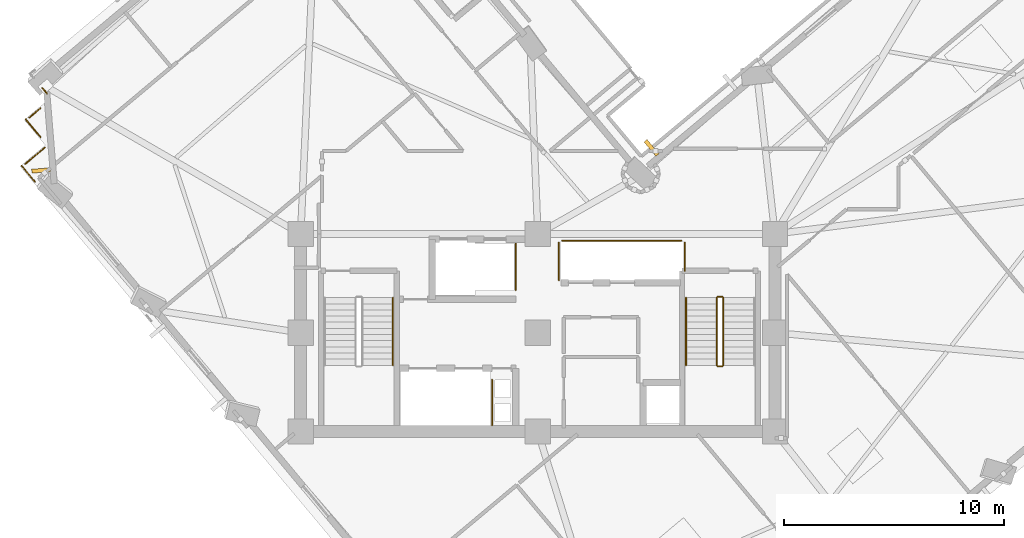
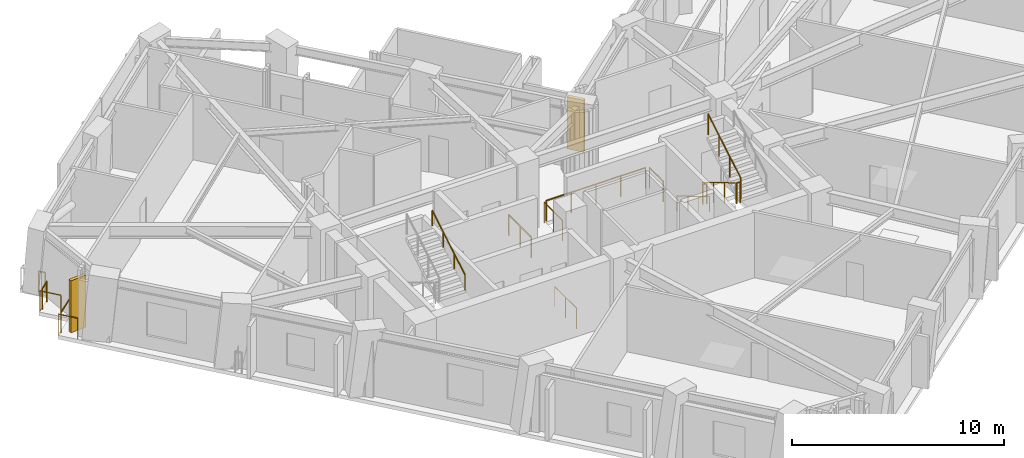
# One storey, part 11 of 14: 16 railings, 2 shading devices.
"""IFC4 building model written with IfcOpenShell, lengths in metres."""

import ifcopenshell
import ifcopenshell.guid

model = None  # the IFC model being written
_history = None  # IfcOwnerHistory: only IFC2X3 demands one
_inside = {}  # id of a spatial element -> (the spatial element, [elements in it])
_under = {}  # id of a project, library or spatial element -> (it, [spatial elements below it])
_declared = {}  # id of a project -> (the project, [libraries it declares])
_typed = {}  # id of a type object -> (the type object, [elements of that type])
_made_of = {}  # id of a material, layer set ... -> (it, [elements and type objects made of it])


def new_model(schema):
    """Start an empty IFC model of exactly this schema.

    Asked for "IFC4X3", IfcOpenShell would pick the latest addendum, in which some entities
    have other attributes; the version numbers below select the first issue.
    IFC2X3 requires an IfcOwnerHistory on every rooted entity: one is made here for all.
    """
    global model, _history
    if schema == "IFC4X3":
        model = ifcopenshell.file(schema_version=(4, 3, 0, 0))
    else:
        model = ifcopenshell.file(schema=schema)
    _inside.clear()
    _under.clear()
    _declared.clear()
    _typed.clear()
    _made_of.clear()
    _history = None
    if model.schema == "IFC2X3":
        org = make("IfcOrganization", Name="unknown")
        user = make(
            "IfcPersonAndOrganization",
            ThePerson=make("IfcPerson", FamilyName="unknown"),
            TheOrganization=org,
        )
        app = make(
            "IfcApplication",
            ApplicationDeveloper=org,
            Version="unknown",
            ApplicationFullName="unknown",
            ApplicationIdentifier="unknown",
        )
        _history = make(
            "IfcOwnerHistory",
            OwningUser=user,
            OwningApplication=app,
            ChangeAction="ADDED",
            CreationDate=0,
        )
    return model


def make(cls, **values):
    """One entity of the class cls with the attributes given. An attribute that is None is left unset."""
    return model.create_entity(
        cls, **{name: value for name, value in values.items() if value is not None}
    )


def rooted(cls, **values):
    """An entity with a GlobalId (a new one), such as an element, a storey or a relation."""
    return make(cls, GlobalId=ifcopenshell.guid.new(), OwnerHistory=_history, **values)


def si_unit(unit_type, name, prefix=None):
    """IfcSIUnit, for example si_unit("LENGTHUNIT", "METRE", prefix="MILLI")."""
    return make("IfcSIUnit", UnitType=unit_type, Prefix=prefix, Name=name)


def assignment(units):
    """IfcUnitAssignment: the units of a project."""
    return None if units is None else make("IfcUnitAssignment", Units=units)


def point(xyz):
    """IfcCartesianPoint."""
    return None if xyz is None else make("IfcCartesianPoint", Coordinates=xyz)


def direction(xyz):
    """IfcDirection."""
    return None if xyz is None else make("IfcDirection", DirectionRatios=xyz)


def frame(location, z_axis=None, x_axis=None):
    """IfcAxis2Placement3D, a coordinate frame: its origin and axes. An axis left out is left unset."""
    return make(
        "IfcAxis2Placement3D",
        Location=point(location),
        Axis=direction(z_axis),
        RefDirection=direction(x_axis),
    )


def frame_2d(location, x_axis=None):
    """IfcAxis2Placement2D, a coordinate frame in the plane: its origin and x axis."""
    return make(
        "IfcAxis2Placement2D", Location=point(location), RefDirection=direction(x_axis)
    )


def origin():
    """The frame at (0, 0, 0) with its axes left unset."""
    return frame((0.0, 0.0, 0.0))


def origin_2d():
    """The frame at (0, 0) in the plane with its x axis left unset."""
    return frame_2d((0.0, 0.0))


def place(relative_to, where):
    """IfcLocalPlacement: puts the frame where relative to a parent placement (None: the world)."""
    return make(
        "IfcLocalPlacement", PlacementRelTo=relative_to, RelativePlacement=where
    )


def context(
    kind, dimensions, precision=None, world=None, true_north=None, identifier=None
):
    """IfcGeometricRepresentationContext, for example the 3D "Model" context."""
    return make(
        "IfcGeometricRepresentationContext",
        ContextIdentifier=identifier,
        ContextType=kind,
        CoordinateSpaceDimension=dimensions,
        Precision=precision,
        WorldCoordinateSystem=world,
        TrueNorth=true_north,
    )


def subcontext(parent, identifier, kind, view, scale=None):
    """IfcGeometricRepresentationSubContext, for example "Body" below "Model"."""
    return make(
        "IfcGeometricRepresentationSubContext",
        ContextIdentifier=identifier,
        ContextType=kind,
        ParentContext=parent,
        TargetScale=scale,
        TargetView=view,
    )


def project(units=None, contexts=None):
    """IfcProject with its units and contexts."""
    return rooted(
        "IfcProject",
        Name="project",
        RepresentationContexts=contexts,
        UnitsInContext=assignment(units),
    )


def spatial(cls, under=None, at=None, **own):
    """A site, building, storey or space (cls), placed at a placement, below another one or the project."""
    s = rooted(cls, ObjectPlacement=at, **own)
    if under is not None:
        _under.setdefault(under.id(), (under, []))[1].append(s)
    return s


def profile(cls, at=None, kind="AREA", **sizes):
    """A parametric profile (cls). Its sizes go by their IFC names, for example OverallWidth=200.0."""
    return make(cls, ProfileType=kind, Position=at, **sizes)


def rectangle(**sizes):
    """IfcRectangleProfileDef."""
    return profile("IfcRectangleProfileDef", **sizes)


def circle(**sizes):
    """IfcCircleProfileDef."""
    return profile("IfcCircleProfileDef", **sizes)


def extrude(swept, where, along, depth):
    """IfcExtrudedAreaSolid: the profile swept, set in the frame where, extruded along a direction by depth."""
    return make(
        "IfcExtrudedAreaSolid",
        SweptArea=swept,
        Position=where,
        ExtrudedDirection=direction(along),
        Depth=depth,
    )


def shape(context_of_items, identifier, shape_type, items):
    """IfcShapeRepresentation: the items that make up one representation, for example the "Body"."""
    return make(
        "IfcShapeRepresentation",
        ContextOfItems=context_of_items,
        RepresentationIdentifier=identifier,
        RepresentationType=shape_type,
        Items=items,
    )


def material(Name=None, Category=None):
    """IfcMaterial."""
    return make("IfcMaterial", Name=Name, Category=Category)


def layer(
    of_material, thickness, ventilated=None, Name=None, Category=None, Priority=None
):
    """IfcMaterialLayer: one layer of a wall or slab, of a material (None: an air gap)."""
    return make(
        "IfcMaterialLayer",
        Material=of_material,
        LayerThickness=thickness,
        IsVentilated=ventilated,
        Name=Name,
        Category=Category,
        Priority=Priority,
    )


def layer_set(layers, Name=None):
    """IfcMaterialLayerSet."""
    return make("IfcMaterialLayerSet", MaterialLayers=layers, LayerSetName=Name)


def made_of(thing, what):
    """Note that an element or type object is made of a material, layer set ...; save() writes the relation."""
    if what is not None:
        _made_of.setdefault(what.id(), (what, []))[1].append(thing)
    return thing


def type_object(cls, material=None, **own):
    """A type object (cls), such as IfcWallType, which elements share."""
    return made_of(rooted(cls, **own), material)


def element(
    cls,
    number,
    at=None,
    inside=None,
    cuts=None,
    type_object=None,
    material=None,
    context=None,
    identifier="Body",
    shape_type=None,
    held_by="IfcProductDefinitionShape",
    body=None,
    shapes=None,
    **own,
):
    """One element of the class cls, such as IfcWall. Its Tag is "e" and its number.

    at: its placement. inside: the storey or other place that contains it. cuts: it is an
    opening in that element (IfcRelVoidsElement). A single representation is given by context,
    identifier, shape_type and body (its items); several are given by shapes. held_by: the class
    of the entity that holds the representations. save() writes the other relations.
    """
    e = rooted(cls, Tag="e%d" % number, ObjectPlacement=at, **own)
    if body is not None:
        shapes = [shape(context, identifier, shape_type, body)]
    if shapes is not None:
        e.Representation = make(held_by, Representations=shapes)
    if inside is not None:
        _inside.setdefault(inside.id(), (inside, []))[1].append(e)
    if cuts is not None:
        rooted(
            "IfcRelVoidsElement", RelatingBuildingElement=cuts, RelatedOpeningElement=e
        )
    if type_object is not None:
        _typed.setdefault(type_object.id(), (type_object, []))[1].append(e)
    return made_of(e, material)


def aggregate(whole, parts):
    """IfcRelAggregates: a whole, such as a stair, and the parts it consists of."""
    return rooted("IfcRelAggregates", RelatingObject=whole, RelatedObjects=parts)


def save(model, path):
    """Write the relations noted so far, then the file.

    IfcRelAggregates (storeys below a building ...), IfcRelContainedInSpatialStructure (elements
    in a storey), IfcRelDefinesByType, IfcRelAssociatesMaterial and IfcRelDeclares: one each for
    every whole, place, type object, material and project.
    """
    for whole, parts in _under.values():
        aggregate(whole, parts)
    for where, things in _inside.values():
        rooted(
            "IfcRelContainedInSpatialStructure",
            RelatedElements=things,
            RelatingStructure=where,
        )
    for kind, things in _typed.values():
        rooted("IfcRelDefinesByType", RelatedObjects=things, RelatingType=kind)
    for what, things in _made_of.values():
        rooted("IfcRelAssociatesMaterial", RelatedObjects=things, RelatingMaterial=what)
    for by, libraries in _declared.values():
        rooted("IfcRelDeclares", RelatingContext=by, RelatedDefinitions=libraries)
    model.write(path)


model = new_model("IFC4")

# Units and contexts
model_context = context("Model", 3, precision=1e-05, world=origin(), true_north=direction((0.0, 1.0)))
body_context = subcontext(model_context, "Body", "Model", "MODEL_VIEW")
ifc_project = project(units=[si_unit("LENGTHUNIT", "METRE"), si_unit("AREAUNIT", "SQUARE_METRE"), si_unit("VOLUMEUNIT", "CUBIC_METRE"), si_unit("PLANEANGLEUNIT", "RADIAN"), si_unit("MASSUNIT", "GRAM", prefix="KILO")], contexts=[model_context])

# Site, building, storey
site_placement = place(None, origin())
site = spatial("IfcSite", under=ifc_project, at=site_placement, CompositionType="ELEMENT")
building_placement = place(site_placement, origin())
building = spatial("IfcBuilding", under=site, at=building_placement, Name="Gaonmaruhae Medical Tower", CompositionType="ELEMENT")
storey_placement = place(building_placement, frame((0.0, 0.0, 193.800048828125)))
storey = spatial("IfcBuildingStorey", under=building, at=storey_placement, Name="L46", CompositionType="ELEMENT", Elevation=193.800048828125)

# Railings
ifc_material_1 = material(Name="Stainless steel 316L and laminated safety glass", Category="steel")
ifc_layer = layer(ifc_material_1, 0.080078125)
ifc_layer_set = layer_set([ifc_layer], Name="Stainless steel 316L and laminated safety glass")
railing_type_1 = type_object("IfcRailingType", Name="GD-120 Outdoor Terrace Safety Glass & Steel Balustrade", PredefinedType="BALUSTRADE", material=ifc_layer_set)
railing_1_placement = place(storey_placement, frame((1.8955078125, 19.17626953125, 0.0)))
element("IfcRailing", 1, at=railing_1_placement, inside=storey, type_object=railing_type_1, Name="L46 Perimeter Slab Edge Safety Balustrade 04", PredefinedType="BALUSTRADE", context=body_context, shape_type="SweptSolid", body=[
    extrude(circle(Radius=0.02392578125, at=origin_2d()), frame((0.0, 0.0, 1.17578125), z_axis=(-0.641462458468, 0.767154426681, 0.0), x_axis=(-0.767154426681, -0.641462458468, 0.0)), (0.0, 0.0, 1.0), 0.95751953125),
    extrude(circle(Radius=0.02099609375, at=origin_2d()), origin(), (0.0, 0.0, 1.0), 1.15185546875),
    extrude(circle(Radius=0.02099609375, at=origin_2d()), frame((-0.6142578125, 0.734619140625, 0.0)), (0.0, 0.0, 1.0), 1.15185546875),
])
railing_2_placement = place(storey_placement, frame((1.4541015625, 19.989990234375, 0.0)))
element("IfcRailing", 2, at=railing_2_placement, inside=storey, type_object=railing_type_1, Name="L46 Perimeter Slab Edge Safety Balustrade 05", PredefinedType="BALUSTRADE", context=body_context, shape_type="SweptSolid", body=[
    extrude(circle(Radius=0.02392578125, at=origin_2d()), frame((0.0, 0.0, 1.17578125), z_axis=(0.767133361503, 0.641487650442, 0.0), x_axis=(-0.641487650442, 0.767133361503, 0.0)), (0.0, 0.0, 1.0), 1.159912109375),
    extrude(circle(Radius=0.02099609375, at=origin_2d()), origin(), (0.0, 0.0, 1.0), 1.15185546875),
    extrude(circle(Radius=0.02099609375, at=origin_2d()), frame((0.889892578125, 0.744140625, 0.0)), (0.0, 0.0, 1.0), 1.15185546875),
])
railing_3_placement = place(storey_placement, frame((2.14990234375, 21.21044921875, 0.0)))
element("IfcRailing", 3, at=railing_3_placement, inside=storey, type_object=railing_type_1, Name="L46 Perimeter Slab Edge Safety Balustrade 06", PredefinedType="BALUSTRADE", context=body_context, shape_type="SweptSolid", body=[
    extrude(circle(Radius=0.02392578125, at=origin_2d()), frame((0.0, 0.0, 1.17578125), z_axis=(-0.64156505494, 0.767068628142, 0.0), x_axis=(-0.767068628142, -0.64156505494, 0.0)), (0.0, 0.0, 1.0), 1.060302734375),
    extrude(circle(Radius=0.02099609375, at=origin_2d()), origin(), (0.0, 0.0, 1.0), 1.15185546875),
    extrude(circle(Radius=0.02099609375, at=origin_2d()), frame((-0.68017578125, 0.813232421875, 0.0)), (0.0, 0.0, 1.0), 1.15185546875),
])
railing_4_placement = place(storey_placement, frame((1.642578125, 22.102783203125, 0.0)))
element("IfcRailing", 4, at=railing_4_placement, inside=storey, type_object=railing_type_1, Name="L46 Perimeter Slab Edge Safety Balustrade 07", PredefinedType="BALUSTRADE", context=body_context, shape_type="SweptSolid", body=[
    extrude(circle(Radius=0.02392578125, at=origin_2d()), frame((0.0, 0.0, 1.17578125), z_axis=(0.767007375973, 0.641638282215, 0.0), x_axis=(-0.641638282215, 0.767007375973, 0.0)), (0.0, 0.0, 1.0), 0.66015625),
    extrude(circle(Radius=0.02099609375, at=origin_2d()), origin(), (0.0, 0.0, 1.0), 1.15185546875),
    extrude(circle(Radius=0.02099609375, at=origin_2d()), frame((0.50634765625, 0.423583984375, 0.0)), (0.0, 0.0, 1.0), 1.15185546875),
])
railing_5_placement = place(storey_placement, frame((2.4453125, 23.195556640625, 0.0)))
element("IfcRailing", 5, at=railing_5_placement, inside=storey, type_object=railing_type_1, Name="L46 Perimeter Slab Edge Safety Balustrade 08", PredefinedType="BALUSTRADE", context=body_context, shape_type="SweptSolid", body=[
    extrude(circle(Radius=0.02392578125, at=origin_2d()), frame((0.0, 0.0, 1.17578125), z_axis=(-0.64113940285, 0.767424436745, 0.0), x_axis=(-0.767424436745, -0.64113940285, 0.0)), (0.0, 0.0, 1.0), 0.32666015625),
    extrude(circle(Radius=0.02099609375, at=origin_2d()), origin(), (0.0, 0.0, 1.0), 1.15185546875),
    extrude(circle(Radius=0.02099609375, at=origin_2d()), frame((-0.20947265625, 0.250732421875, 0.0)), (0.0, 0.0, 1.0), 1.15185546875),
])
ifc_material_2 = material(Name="Stainless steel 304 handrail", Category="steel")
railing_type_2 = type_object("IfcRailingType", Name="HR-092 Continuous Stainless Steel Stair Handrail", PredefinedType="HANDRAIL", material=ifc_material_2)
railing_6_placement = place(storey_placement, frame((18.199951171875, 10.820068359375, 2.16650390625)))
element("IfcRailing", 6, at=railing_6_placement, inside=storey, type_object=railing_type_2, Name="L46 ST-01 stair handrail 2", PredefinedType="HANDRAIL", context=body_context, shape_type="SweptSolid", body=[
    extrude(circle(Radius=0.02392578125, at=origin_2d()), frame((0.0, 0.0, 0.8759765625), z_axis=(0.0, 0.859260807169, 0.511537745687), x_axis=(-1.0, 0.0, 0.0)), (0.0, 0.0, 1.0), 3.584228515625),
    extrude(circle(Radius=0.02099609375, at=origin_2d()), origin(), (0.0, 0.0, 1.0), 0.851806640625),
    extrude(circle(Radius=0.02099609375, at=origin_2d()), frame((0.0, 1.026611328125, 0.611083984375)), (0.0, 0.0, 1.0), 0.851806640625),
    extrude(circle(Radius=0.02099609375, at=origin_2d()), frame((0.0, 2.05322265625, 1.222412109375)), (0.0, 0.0, 1.0), 0.851806640625),
    extrude(circle(Radius=0.02099609375, at=origin_2d()), frame((0.0, 3.079833984375, 1.83349609375)), (0.0, 0.0, 1.0), 0.851806640625),
])
railing_7_placement = place(storey_placement, frame((31.550048828125, 13.89990234375, 0.16650390625)))
element("IfcRailing", 7, at=railing_7_placement, inside=storey, type_object=railing_type_2, Name="L46 ST-02 stair handrail 1", PredefinedType="HANDRAIL", context=body_context, shape_type="SweptSolid", body=[
    extrude(circle(Radius=0.02392578125, at=origin_2d()), frame((0.0, 0.0, 0.8759765625), z_axis=(0.0, -0.859260807169, 0.511537745687), x_axis=(1.0, 0.0, 0.0)), (0.0, 0.0, 1.0), 3.584228515625),
    extrude(circle(Radius=0.02099609375, at=origin_2d()), origin(), (0.0, 0.0, 1.0), 0.851806640625),
    extrude(circle(Radius=0.02099609375, at=origin_2d()), frame((0.0, -1.026611328125, 0.611083984375)), (0.0, 0.0, 1.0), 0.851806640625),
    extrude(circle(Radius=0.02099609375, at=origin_2d()), frame((0.0, -2.05322265625, 1.222412109375)), (0.0, 0.0, 1.0), 0.851806640625),
    extrude(circle(Radius=0.02099609375, at=origin_2d()), frame((0.0, -3.079833984375, 1.83349609375)), (0.0, 0.0, 1.0), 0.851806640625),
])

# Shading devices
ifc_material_3 = material(Name="Pigmented coral precast concrete C45/55", Category="concrete")
shading_device_type = type_object("IfcShadingDeviceType", Name="SD-FIN1 Tower Vertical Coral Precast Shading Fin", PredefinedType="USERDEFINED", material=ifc_material_3)
for number, where, z_axis, x_axis, name in (
    (8, (29.9775390625, 20.7216796875, 0.132568359375), (0.0, 0.0, 1.0), (0.767165151815, 0.641449631569, 0.0), "L46 Vertical Coral Precast Shading Fin EN03"),
    (9, (2.17578125, 19.692626953125, 0.132568359375), (0.0, 0.0, 1.0), (-0.081625401722, 0.996663079377, 0.0), "L46 Vertical Coral Precast Shading Fin N03"),
):
    element("IfcShadingDevice", number, at=place(storey_placement, frame(where, z_axis=z_axis, x_axis=x_axis)), inside=storey, type_object=shading_device_type, Name=name, ObjectType="FIN", PredefinedType="USERDEFINED", context=body_context, shape_type="SweptSolid", body=[
        extrude(rectangle(XDim=0.179931640625, YDim=0.85009765625, at=origin_2d()), origin(), (0.0, 0.0, 1.0), 3.0),
    ])

# Railings
ifc_material_4 = material(Name="Stainless steel 304 balustrade", Category="steel")
railing_type_3 = type_object("IfcRailingType", Name="SG-112 Stair Well & Ramp Void Safety Balustrade", PredefinedType="BALUSTRADE", material=ifc_material_4)
railing_8_placement = place(storey_placement, frame((32.949951171875, 13.89990234375, 0.16650390625)))
element("IfcRailing", 10, at=railing_8_placement, inside=storey, type_object=railing_type_3, Name="L46 ST-02 stair guard 1", PredefinedType="BALUSTRADE", context=body_context, shape_type="SweptSolid", body=[
    extrude(circle(Radius=0.02392578125, at=origin_2d()), frame((0.0, 0.0, 1.17578125), z_axis=(0.0, -0.859260807169, 0.511537745687), x_axis=(1.0, 0.0, 0.0)), (0.0, 0.0, 1.0), 3.584228515625),
    extrude(circle(Radius=0.02099609375, at=origin_2d()), origin(), (0.0, 0.0, 1.0), 1.15185546875),
    extrude(circle(Radius=0.02099609375, at=origin_2d()), frame((0.0, -1.026611328125, 0.611083984375)), (0.0, 0.0, 1.0), 1.15185546875),
    extrude(circle(Radius=0.02099609375, at=origin_2d()), frame((0.0, -2.05322265625, 1.222412109375)), (0.0, 0.0, 1.0), 1.15185546875),
    extrude(circle(Radius=0.02099609375, at=origin_2d()), frame((0.0, -3.079833984375, 1.83349609375)), (0.0, 0.0, 1.0), 1.15185546875),
])
railing_9_placement = place(storey_placement, frame((33.0, 10.77001953125, 2.0)))
element("IfcRailing", 11, at=railing_9_placement, inside=storey, type_object=railing_type_3, Name="L46 ST-02 stair guard 2", PredefinedType="BALUSTRADE", context=body_context, shape_type="SweptSolid", body=[
    extrude(circle(Radius=0.02392578125, at=origin_2d()), frame((0.0, 0.0, 1.17578125), z_axis=(1.0, 0.0, 0.0), x_axis=(0.0, 1.0, 0.0)), (0.0, 0.0, 1.0), 0.199951171875),
    extrude(circle(Radius=0.02099609375, at=origin_2d()), origin(), (0.0, 0.0, 1.0), 1.15185546875),
    extrude(circle(Radius=0.02099609375, at=origin_2d()), frame((0.199951171875, 0.0, 0.0)), (0.0, 0.0, 1.0), 1.15185546875),
])
railing_10_placement = place(storey_placement, frame((33.25, 10.820068359375, 2.16650390625)))
element("IfcRailing", 12, at=railing_10_placement, inside=storey, type_object=railing_type_3, Name="L46 ST-02 stair guard 3", PredefinedType="BALUSTRADE", context=body_context, shape_type="SweptSolid", body=[
    extrude(circle(Radius=0.02392578125, at=origin_2d()), frame((0.0, 0.0, 1.17578125), z_axis=(0.0, 0.859260807169, 0.511537745687), x_axis=(-1.0, 0.0, 0.0)), (0.0, 0.0, 1.0), 3.584228515625),
    extrude(circle(Radius=0.02099609375, at=origin_2d()), origin(), (0.0, 0.0, 1.0), 1.15185546875),
    extrude(circle(Radius=0.02099609375, at=origin_2d()), frame((0.0, 1.026611328125, 0.611083984375)), (0.0, 0.0, 1.0), 1.15185546875),
    extrude(circle(Radius=0.02099609375, at=origin_2d()), frame((0.0, 2.05322265625, 1.222412109375)), (0.0, 0.0, 1.0), 1.15185546875),
    extrude(circle(Radius=0.02099609375, at=origin_2d()), frame((0.0, 3.079833984375, 1.83349609375)), (0.0, 0.0, 1.0), 1.15185546875),
])
railing_11_placement = place(storey_placement, frame((33.0, 13.949951171875, 0.0)))
element("IfcRailing", 13, at=railing_11_placement, inside=storey, type_object=railing_type_3, Name="L46 ST-02 stair guard 4", PredefinedType="BALUSTRADE", context=body_context, shape_type="SweptSolid", body=[
    extrude(circle(Radius=0.02392578125, at=origin_2d()), frame((0.0, 0.0, 1.17578125), z_axis=(1.0, 0.0, 0.0), x_axis=(0.0, 1.0, 0.0)), (0.0, 0.0, 1.0), 0.199951171875),
    extrude(circle(Radius=0.02099609375, at=origin_2d()), origin(), (0.0, 0.0, 1.0), 1.15185546875),
    extrude(circle(Radius=0.02099609375, at=origin_2d()), frame((0.199951171875, 0.0, 0.0)), (0.0, 0.0, 1.0), 1.15185546875),
])
railing_12_placement = place(storey_placement, frame((22.719970703125, 10.159912109375, 0.0)))
element("IfcRailing", 14, at=railing_12_placement, inside=storey, type_object=railing_type_3, Name="L46 Shaft Edge Safety Guard 13", PredefinedType="BALUSTRADE", context=body_context, shape_type="SweptSolid", body=[
    extrude(circle(Radius=0.02392578125, at=origin_2d()), frame((0.0, 0.0, 1.17578125), z_axis=(0.0, -1.0, 0.0), x_axis=(1.0, 0.0, 0.0)), (0.0, 0.0, 1.0), 2.06494140625),
    extrude(circle(Radius=0.02099609375, at=origin_2d()), origin(), (0.0, 0.0, 1.0), 1.15185546875),
    extrude(circle(Radius=0.02099609375, at=origin_2d()), frame((0.0, -1.032470703125, 0.0)), (0.0, 0.0, 1.0), 1.15185546875),
    extrude(circle(Radius=0.02099609375, at=origin_2d()), frame((0.0, -2.06494140625, 0.0)), (0.0, 0.0, 1.0), 1.15185546875),
])
railing_13_placement = place(storey_placement, frame((23.794921875, 16.35498046875, 0.0)))
element("IfcRailing", 15, at=railing_13_placement, inside=storey, type_object=railing_type_3, Name="L46 Shaft Edge Safety Guard 14", PredefinedType="BALUSTRADE", context=body_context, shape_type="SweptSolid", body=[
    extrude(circle(Radius=0.02392578125, at=origin_2d()), frame((0.0, 0.0, 1.17578125), z_axis=(0.0, -1.0, 0.0), x_axis=(1.0, 0.0, 0.0)), (0.0, 0.0, 1.0), 2.10986328125),
    extrude(circle(Radius=0.02099609375, at=origin_2d()), origin(), (0.0, 0.0, 1.0), 1.15185546875),
    extrude(circle(Radius=0.02099609375, at=origin_2d()), frame((0.0, -1.054931640625, 0.0)), (0.0, 0.0, 1.0), 1.15185546875),
    extrude(circle(Radius=0.02099609375, at=origin_2d()), frame((0.0, -2.10986328125, 0.0)), (0.0, 0.0, 1.0), 1.15185546875),
])
railing_14_placement = place(storey_placement, frame((31.4951171875, 16.405029296875, 0.0)))
element("IfcRailing", 16, at=railing_14_placement, inside=storey, type_object=railing_type_3, Name="L46 Shaft Edge Safety Guard 15", PredefinedType="BALUSTRADE", context=body_context, shape_type="SweptSolid", body=[
    extrude(circle(Radius=0.02392578125, at=origin_2d()), frame((0.0, 0.0, 1.17578125), z_axis=(0.0, -1.0, 0.0), x_axis=(1.0, 0.0, 0.0)), (0.0, 0.0, 1.0), 1.284912109375),
    extrude(circle(Radius=0.02099609375, at=origin_2d()), origin(), (0.0, 0.0, 1.0), 1.15185546875),
    extrude(circle(Radius=0.02099609375, at=origin_2d()), frame((0.0, -1.284912109375, 0.0)), (0.0, 0.0, 1.0), 1.15185546875),
])
railing_15_placement = place(storey_placement, frame((25.7548828125, 14.695068359375, 0.0)))
element("IfcRailing", 17, at=railing_15_placement, inside=storey, type_object=railing_type_3, Name="L46 Shaft Edge Safety Guard 16", PredefinedType="BALUSTRADE", context=body_context, shape_type="SweptSolid", body=[
    extrude(circle(Radius=0.02392578125, at=origin_2d()), frame((0.0, 0.0, 1.17578125), z_axis=(0.0, 1.0, 0.0), x_axis=(-1.0, 0.0, 0.0)), (0.0, 0.0, 1.0), 1.7099609375),
    extrude(circle(Radius=0.02099609375, at=origin_2d()), origin(), (0.0, 0.0, 1.0), 1.15185546875),
    extrude(circle(Radius=0.02099609375, at=origin_2d()), frame((0.0, 0.85498046875, 0.0)), (0.0, 0.0, 1.0), 1.15185546875),
    extrude(circle(Radius=0.02099609375, at=origin_2d()), frame((0.0, 1.7099609375, 0.0)), (0.0, 0.0, 1.0), 1.15185546875),
])
railing_16_placement = place(storey_placement, frame((25.919921875, 16.4951171875, 0.0)))
element("IfcRailing", 18, at=railing_16_placement, inside=storey, type_object=railing_type_3, Name="L46 Shaft Edge Safety Guard 17", PredefinedType="BALUSTRADE", context=body_context, shape_type="SweptSolid", body=[
    extrude(circle(Radius=0.02392578125, at=origin_2d()), frame((0.0, 0.0, 1.17578125), z_axis=(1.0, 0.0, 0.0), x_axis=(0.0, 1.0, 0.0)), (0.0, 0.0, 1.0), 5.41015625),
    extrude(circle(Radius=0.02099609375, at=origin_2d()), origin(), (0.0, 0.0, 1.0), 1.15185546875),
    extrude(circle(Radius=0.02099609375, at=origin_2d()), frame((1.3525390625, 0.0, 0.0)), (0.0, 0.0, 1.0), 1.15185546875),
    extrude(circle(Radius=0.02099609375, at=origin_2d()), frame((2.705078125, 0.0, 0.0)), (0.0, 0.0, 1.0), 1.15185546875),
    extrude(circle(Radius=0.02099609375, at=origin_2d()), frame((4.0576171875, 0.0, 0.0)), (0.0, 0.0, 1.0), 1.15185546875),
    extrude(circle(Radius=0.02099609375, at=origin_2d()), frame((5.41015625, 0.0, 0.0)), (0.0, 0.0, 1.0), 1.15185546875),
])

save(model, "model.ifc")
